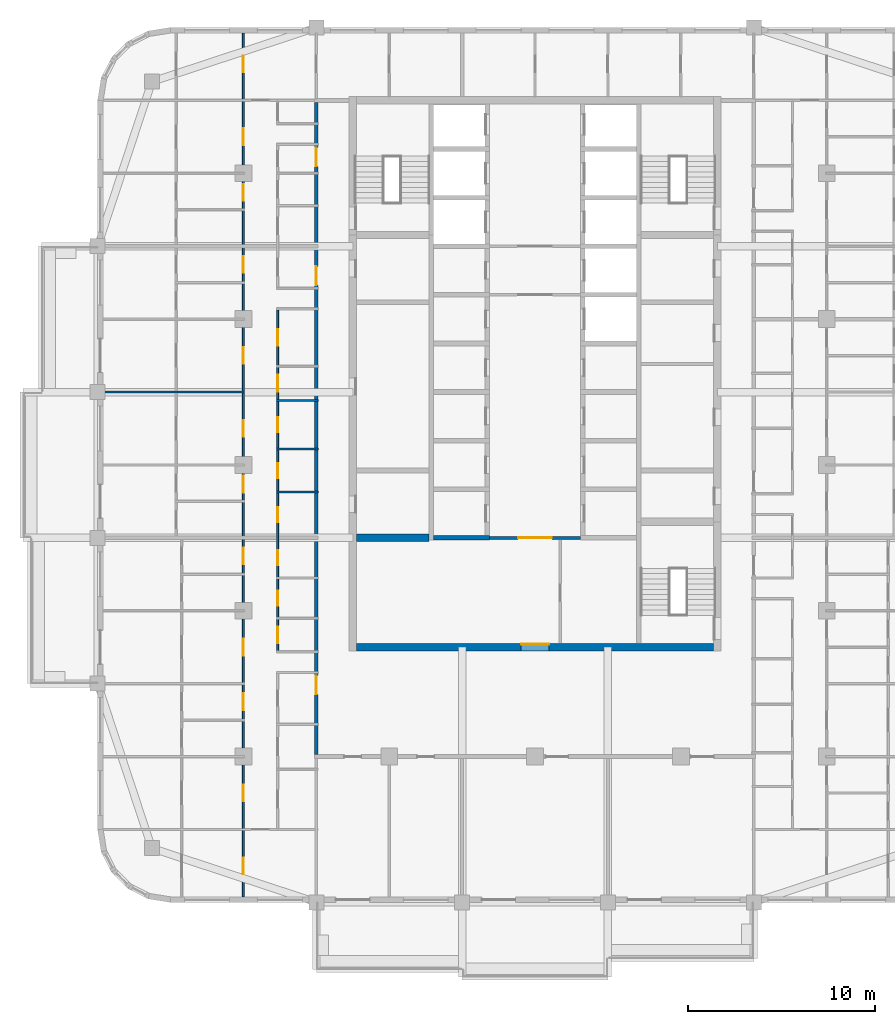
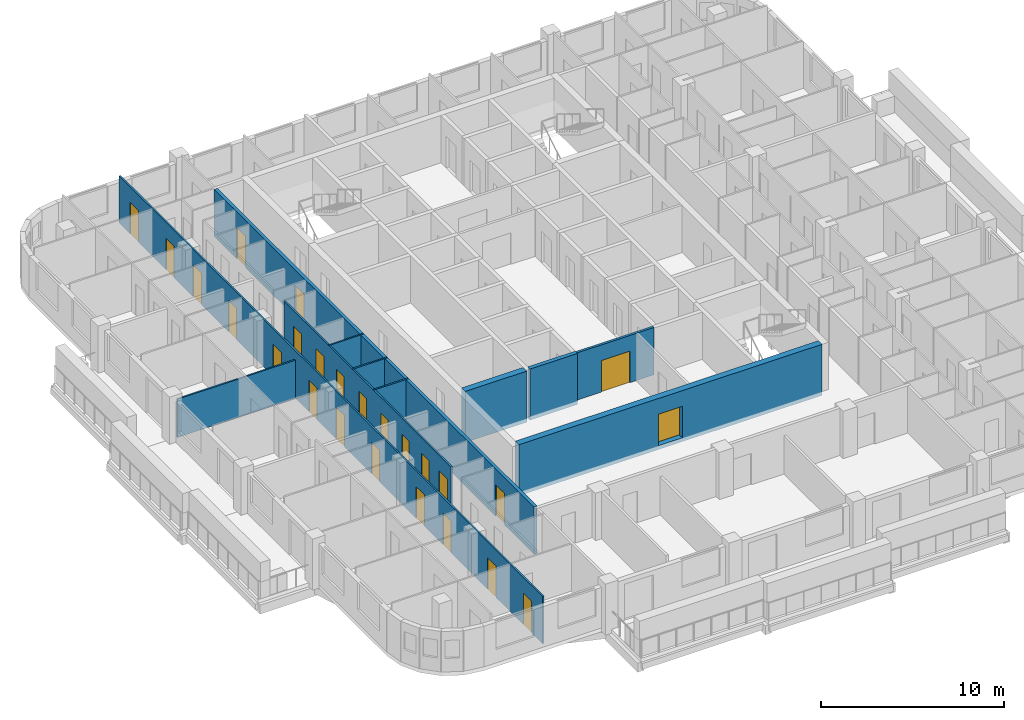
# One storey, part 4 of 16: 25 doors, 11 walls, 25 openings.
"""IFC4 building model written with IfcOpenShell, lengths in metres."""

from ifc_helpers import new_model, si_unit, direction, frame, frame_2d, origin, place, context, subcontext, project, spatial, rectangle, extrude, material, layer, layer_set, type_object, element, fill, save


model = new_model("IFC4")

# Units and contexts
model_context = context("Model", 3, precision=1e-05, world=origin(), true_north=direction((0.0, 1.0)))
body_context = subcontext(model_context, "Body", "Model", "MODEL_VIEW")
ifc_project = project(units=[si_unit("LENGTHUNIT", "METRE"), si_unit("AREAUNIT", "SQUARE_METRE"), si_unit("VOLUMEUNIT", "CUBIC_METRE"), si_unit("PLANEANGLEUNIT", "RADIAN"), si_unit("MASSUNIT", "GRAM", prefix="KILO")], contexts=[model_context])

# Site, building, storey
site_placement = place(None, origin())
site = spatial("IfcSite", under=ifc_project, at=site_placement, CompositionType="ELEMENT")
building_placement = place(site_placement, origin())
building = spatial("IfcBuilding", under=site, at=building_placement, Name="Ludao Terraces", CompositionType="ELEMENT")
storey_placement = place(building_placement, frame((0.0, 0.0, 207.5)))
storey = spatial("IfcBuildingStorey", under=building, at=storey_placement, Name="L56", CompositionType="ELEMENT", Elevation=207.5)

# Wall, opening, door
ifc_material_1 = material(Name="Concrete C50", Category="concrete")
ifc_layer_1 = layer(ifc_material_1, 0.39990234375)
ifc_layer_set_1 = layer_set([ifc_layer_1], Name="Core wall 400 C50")
wall_type_1 = type_object("IfcWallType", Name="Core wall 400 C50", PredefinedType="SOLIDWALL", material=ifc_layer_set_1)
wall_1_placement = place(storey_placement, frame((75.449951171875, 55.25, -0.25), z_axis=(0.0, 0.0, 1.0), x_axis=(1.0, 0.0, 0.0)))
wall_1 = element("IfcWall", 1, at=wall_1_placement, inside=storey, type_object=wall_type_1, Name="Core wall L56 outer-S", PredefinedType="SOLIDWALL", context=body_context, shape_type="SweptSolid", body=[
    extrude(rectangle(XDim=19.10009765625, YDim=0.39990234375, at=frame_2d((9.550048828125, 0.0))), origin(), (0.0, 0.0, 1.0), 3.39990234375),
])
opening_1_placement = place(wall_1_placement, frame((8.800048828125, 0.0, 0.25)))
opening_1 = element("IfcOpeningElement", 2, at=opening_1_placement, cuts=wall_1, Name="Opening R20-032", PredefinedType="OPENING", context=body_context, shape_type="SweptSolid", body=[
    extrude(rectangle(XDim=1.5, YDim=2.10009765625, at=frame_2d((0.75, 1.050048828125))), frame((0.0, 0.2099609375, 0.0), z_axis=(0.0, -1.0, 0.0), x_axis=(1.0, 0.0, 0.0)), (0.0, 0.0, 1.0), 0.419921875),
])
ifc_material_2 = material(Name="Steel Q235", Category="steel")
door_type_1 = type_object("IfcDoorType", Name="INT Lobby door 1500", OperationType="DOUBLE_DOOR_SINGLE_SWING", PredefinedType="DOOR", material=ifc_material_2)
door_1_placement = place(opening_1_placement, origin())
door_1 = element("IfcDoor", 3, at=door_1_placement, inside=storey, type_object=door_type_1, Name="DOOR 032", OperationType="DOUBLE_DOOR_SINGLE_SWING", OverallHeight=2.10009765625, OverallWidth=1.5, PredefinedType="DOOR", context=body_context, shape_type="SweptSolid", body=[
    extrude(rectangle(XDim=1.5, YDim=2.10009765625, at=frame_2d((0.75, 1.050048828125))), frame((0.0, 0.18505859375, 0.0), z_axis=(0.0, -1.0, 0.0), x_axis=(1.0, 0.0, 0.0)), (0.0, 0.0, 1.0), 0.050048828125),
])
fill(opening_1, door_1)

ifc_material_3 = material(Name="Fire-rated gypsum plasterboard", Category="gypsum")
ifc_layer_2 = layer(ifc_material_3, 0.012451171875, Category="gypsum")
ifc_material_4 = material(Name="Mineral wool")
ifc_layer_3 = layer(ifc_material_4, 0.10009765625, Name="insulation")
ifc_layer_4 = layer(ifc_material_2, 0.02490234375, Name="stud")
ifc_layer_5 = layer(ifc_material_3, 0.012451171875, Category="gypsum")
ifc_layer_set_2 = layer_set([ifc_layer_2, ifc_layer_3, ifc_layer_4, ifc_layer_5], Name="INT Core partition 150")
wall_type_2 = type_object("IfcWallType", Name="INT Core partition 150", PredefinedType="PARTITIONING", material=ifc_layer_set_2)
wall_2_placement = place(storey_placement, frame((82.5751953125, 61.10009765625, 0.0), z_axis=(0.0, 0.0, 1.0), x_axis=(1.0, 0.0, 0.0)))
wall_2 = element("IfcWall", 4, at=wall_2_placement, inside=storey, type_object=wall_type_2, Name="PW-L56-PW027", PredefinedType="PARTITIONING", context=body_context, shape_type="SweptSolid", body=[
    extrude(rectangle(XDim=4.849853515625, YDim=0.14990234375, at=frame_2d((2.4248046875, 0.0))), origin(), (0.0, 0.0, 1.0), 3.14990234375),
])
opening_2_placement = place(wall_2_placement, frame((1.52490234375, 0.0, 0.0)))
opening_2 = element("IfcOpeningElement", 5, at=opening_2_placement, cuts=wall_2, Name="Opening R20-049", PredefinedType="OPENING", context=body_context, shape_type="SweptSolid", body=[
    extrude(rectangle(XDim=1.800048828125, YDim=2.10009765625, at=frame_2d((0.89990234375, 1.050048828125))), frame((0.0, 0.0849609375, 0.0), z_axis=(0.0, -1.0, 0.0), x_axis=(1.0, 0.0, 0.0)), (0.0, 0.0, 1.0), 0.169921875),
])
door_type_2 = type_object("IfcDoorType", Name="INT Fire lobby door 1800", OperationType="DOUBLE_DOOR_SINGLE_SWING", PredefinedType="DOOR", material=ifc_material_2)
door_2_placement = place(opening_2_placement, origin())
door_2 = element("IfcDoor", 6, at=door_2_placement, inside=storey, type_object=door_type_2, Name="DOOR 049", OperationType="DOUBLE_DOOR_SINGLE_SWING", OverallHeight=2.10009765625, OverallWidth=1.800048828125, PredefinedType="DOOR", context=body_context, shape_type="SweptSolid", body=[
    extrude(rectangle(XDim=1.800048828125, YDim=2.10009765625, at=frame_2d((0.89990234375, 1.050048828125))), frame((0.0, 0.02490234375, 0.0), z_axis=(0.0, -1.0, 0.0), x_axis=(1.0, 0.0, 0.0)), (0.0, 0.0, 1.0), 0.050048828125),
])
fill(opening_2, door_2)

# Wall, openings, doors
ifc_material_5 = material(Name="Autoclaved aerated concrete block B06 A3.5", Category="concrete")
ifc_layer_6 = layer(ifc_material_5, 0.199951171875)
ifc_layer_set_3 = layer_set([ifc_layer_6], Name="INT Entrance wall 200")
wall_type_3 = type_object("IfcWallType", Name="INT Entrance wall 200", PredefinedType="PARTITIONING", material=ifc_layer_set_3)
wall_3_placement = place(storey_placement, frame((73.300048828125, 49.5, 0.0), z_axis=(0.0, 0.0, 1.0), x_axis=(0.0, 1.0, 0.0)))
wall_3 = element("IfcWall", 7, at=wall_3_placement, inside=storey, type_object=wall_type_3, Name="PW-L56-PW078", PredefinedType="PARTITIONING", context=body_context, shape_type="SweptSolid", body=[
    extrude(rectangle(XDim=34.900146484375, YDim=0.199951171875, at=frame_2d((17.4501953125, 0.0))), origin(), (0.0, 0.0, 1.0), 3.14990234375),
])
opening_3_placement = place(wall_3_placement, frame((3.22509765625, 0.0, 0.0)))
opening_3 = element("IfcOpeningElement", 8, at=opening_3_placement, cuts=wall_3, Name="Opening R20-027", PredefinedType="OPENING", context=body_context, shape_type="SweptSolid", body=[
    extrude(rectangle(XDim=1.0, YDim=2.10009765625, at=frame_2d((0.5, 1.050048828125))), frame((0.0, 0.10986328125, 0.0), z_axis=(0.0, -1.0, 0.0), x_axis=(1.0, 0.0, 0.0)), (0.0, 0.0, 1.0), 0.219970703125),
])
opening_4_placement = place(wall_3_placement, frame((25.125, 0.0, 0.0)))
opening_4 = element("IfcOpeningElement", 9, at=opening_4_placement, cuts=wall_3, Name="Opening R20-093", PredefinedType="OPENING", context=body_context, shape_type="SweptSolid", body=[
    extrude(rectangle(XDim=1.0, YDim=2.10009765625, at=frame_2d((0.5, 1.050048828125))), frame((0.0, 0.10986328125, 0.0), z_axis=(0.0, -1.0, 0.0), x_axis=(1.0, 0.0, 0.0)), (0.0, 0.0, 1.0), 0.219970703125),
])
opening_5_placement = place(wall_3_placement, frame((31.47509765625, 0.0, 0.0)))
opening_5 = element("IfcOpeningElement", 10, at=opening_5_placement, cuts=wall_3, Name="Opening R20-121", PredefinedType="OPENING", context=body_context, shape_type="SweptSolid", body=[
    extrude(rectangle(XDim=1.0, YDim=2.10009765625, at=frame_2d((0.5, 1.050048828125))), frame((0.0, 0.10986328125, 0.0), z_axis=(0.0, -1.0, 0.0), x_axis=(1.0, 0.0, 0.0)), (0.0, 0.0, 1.0), 0.219970703125),
])
door_type_3 = type_object("IfcDoorType", Name="INT Flat entrance door 1000", OperationType="SINGLE_SWING_LEFT", PredefinedType="DOOR", material=ifc_material_2)
door_3_placement = place(opening_3_placement, origin())
door_3 = element("IfcDoor", 11, at=door_3_placement, inside=storey, type_object=door_type_3, Name="DOOR 027", OperationType="SINGLE_SWING_LEFT", OverallHeight=2.10009765625, OverallWidth=1.0, PredefinedType="DOOR", context=body_context, shape_type="SweptSolid", body=[
    extrude(rectangle(XDim=1.0, YDim=2.10009765625, at=frame_2d((0.5, 1.050048828125))), frame((0.0, 0.02490234375, 0.0), z_axis=(0.0, -1.0, 0.0), x_axis=(1.0, 0.0, 0.0)), (0.0, 0.0, 1.0), 0.050048828125),
])
fill(opening_3, door_3)
door_4_placement = place(opening_4_placement, origin())
door_4 = element("IfcDoor", 12, at=door_4_placement, inside=storey, type_object=door_type_3, Name="DOOR 093", OperationType="SINGLE_SWING_RIGHT", OverallHeight=2.10009765625, OverallWidth=1.0, PredefinedType="DOOR", context=body_context, shape_type="SweptSolid", body=[
    extrude(rectangle(XDim=1.0, YDim=2.10009765625, at=frame_2d((0.5, 1.050048828125))), frame((0.0, 0.02490234375, 0.0), z_axis=(0.0, -1.0, 0.0), x_axis=(1.0, 0.0, 0.0)), (0.0, 0.0, 1.0), 0.050048828125),
])
fill(opening_4, door_4)
door_5_placement = place(opening_5_placement, origin())
door_5 = element("IfcDoor", 13, at=door_5_placement, inside=storey, type_object=door_type_3, Name="DOOR 121", OperationType="SINGLE_SWING_LEFT", OverallHeight=2.10009765625, OverallWidth=1.0, PredefinedType="DOOR", context=body_context, shape_type="SweptSolid", body=[
    extrude(rectangle(XDim=1.0, YDim=2.10009765625, at=frame_2d((0.5, 1.050048828125))), frame((0.0, 0.02490234375, 0.0), z_axis=(0.0, -1.0, 0.0), x_axis=(1.0, 0.0, 0.0)), (0.0, 0.0, 1.0), 0.050048828125),
])
fill(opening_5, door_5)

# Walls
ifc_material_6 = material(Name="Gypsum plasterboard", Category="gypsum")
ifc_layer_7 = layer(ifc_material_6, 0.012451171875, Category="gypsum")
ifc_layer_8 = layer(ifc_material_4, 0.06005859375, Name="insulation")
ifc_layer_9 = layer(ifc_material_2, 0.014892578125, Name="stud")
ifc_layer_10 = layer(ifc_material_6, 0.012451171875, Category="gypsum")
ifc_layer_set_4 = layer_set([ifc_layer_7, ifc_layer_8, ifc_layer_9, ifc_layer_10], Name="INT Partition 100")
wall_type_4 = type_object("IfcWallType", Name="INT Partition 100", PredefinedType="PARTITIONING", material=ifc_layer_set_4)
for number, where, z_axis, x_axis, name in (
    (14, (71.18017578125, 63.550048828125, 0.0), (0.0, 0.0, 1.0), (1.0, 0.0, 0.0), "PW-L56-PW032"),
    (15, (71.18017578125, 65.85009765625, 0.0), (0.0, 0.0, 1.0), (1.0, 0.0, 0.0), "PW-L56-PW035"),
    (16, (71.18017578125, 68.449951171875, 0.0), (0.0, 0.0, 1.0), (1.0, 0.0, 0.0), "PW-L56-PW037"),
):
    element("IfcWall", number, at=place(storey_placement, frame(where, z_axis=z_axis, x_axis=x_axis)), inside=storey, type_object=wall_type_4, Name=name, PredefinedType="PARTITIONING", context=body_context, shape_type="SweptSolid", body=[
        extrude(rectangle(XDim=2.219970703125, YDim=0.10009765625, at=frame_2d((1.10986328125, 0.0))), origin(), (0.0, 0.0, 1.0), 3.14990234375),
    ])
wall_4_placement = place(storey_placement, frame((61.900146484375, 68.89990234375, 0.0), z_axis=(0.0, 0.0, 1.0), x_axis=(1.0, 0.0, 0.0)))
element("IfcWall", 17, at=wall_4_placement, inside=storey, type_object=wall_type_4, Name="PW-L56-PW038", PredefinedType="PARTITIONING", context=body_context, shape_type="SweptSolid", body=[
    extrude(rectangle(XDim=7.550048828125, YDim=0.10009765625, at=frame_2d((3.77490234375, 0.0))), origin(), (0.0, 0.0, 1.0), 2.550048828125),
])

# Wall, openings, doors
wall_5_placement = place(storey_placement, frame((69.39990234375, 41.900146484375, 0.0), z_axis=(0.0, 0.0, 1.0), x_axis=(0.0, 1.0, 0.0)))
wall_5 = element("IfcWall", 18, at=wall_5_placement, inside=storey, type_object=wall_type_4, Name="PW-L56-PW072", PredefinedType="PARTITIONING", context=body_context, shape_type="SweptSolid", body=[
    extrude(rectangle(XDim=46.199951171875, YDim=0.10009765625, at=frame_2d((23.10009765625, 0.0))), origin(), (0.0, 0.0, 1.0), 3.14990234375),
])
opening_6_placement = place(wall_5_placement, frame((1.199951171875, 0.0, 0.0)))
opening_6 = element("IfcOpeningElement", 19, at=opening_6_placement, cuts=wall_5, Name="Opening R20-002", PredefinedType="OPENING", context=body_context, shape_type="SweptSolid", body=[
    extrude(rectangle(XDim=0.89990234375, YDim=2.10009765625, at=frame_2d((0.449951171875, 1.050048828125))), frame((0.0, 0.06005859375, 0.0), z_axis=(0.0, -1.0, 0.0), x_axis=(1.0, 0.0, 0.0)), (0.0, 0.0, 1.0), 0.1201171875),
])
opening_7_placement = place(wall_5_placement, frame((5.10009765625, 0.0, 0.0)))
opening_7 = element("IfcOpeningElement", 20, at=opening_7_placement, cuts=wall_5, Name="Opening R20-011", PredefinedType="OPENING", context=body_context, shape_type="SweptSolid", body=[
    extrude(rectangle(XDim=0.89990234375, YDim=2.10009765625, at=frame_2d((0.449951171875, 1.050048828125))), frame((0.0, 0.06005859375, 0.0), z_axis=(0.0, -1.0, 0.0), x_axis=(1.0, 0.0, 0.0)), (0.0, 0.0, 1.0), 0.1201171875),
])
opening_8_placement = place(wall_5_placement, frame((9.97509765625, 0.0, 0.0)))
opening_8 = element("IfcOpeningElement", 21, at=opening_8_placement, cuts=wall_5, Name="Opening R20-025", PredefinedType="OPENING", context=body_context, shape_type="SweptSolid", body=[
    extrude(rectangle(XDim=0.89990234375, YDim=2.10009765625, at=frame_2d((0.449951171875, 1.050048828125))), frame((0.0, 0.06005859375, 0.0), z_axis=(0.0, -1.0, 0.0), x_axis=(1.0, 0.0, 0.0)), (0.0, 0.0, 1.0), 0.1201171875),
])
opening_9_placement = place(wall_5_placement, frame((12.89990234375, 0.0, 0.0)))
opening_9 = element("IfcOpeningElement", 22, at=opening_9_placement, cuts=wall_5, Name="Opening R20-031", PredefinedType="OPENING", context=body_context, shape_type="SweptSolid", body=[
    extrude(rectangle(XDim=0.89990234375, YDim=2.10009765625, at=frame_2d((0.449951171875, 1.050048828125))), frame((0.0, 0.06005859375, 0.0), z_axis=(0.0, -1.0, 0.0), x_axis=(1.0, 0.0, 0.0)), (0.0, 0.0, 1.0), 0.1201171875),
])
opening_10_placement = place(wall_5_placement, frame((17.77490234375, 0.0, 0.0)))
opening_10 = element("IfcOpeningElement", 23, at=opening_10_placement, cuts=wall_5, Name="Opening R20-046", PredefinedType="OPENING", context=body_context, shape_type="SweptSolid", body=[
    extrude(rectangle(XDim=0.89990234375, YDim=2.10009765625, at=frame_2d((0.449951171875, 1.050048828125))), frame((0.0, 0.06005859375, 0.0), z_axis=(0.0, -1.0, 0.0), x_axis=(1.0, 0.0, 0.0)), (0.0, 0.0, 1.0), 0.1201171875),
])
opening_11_placement = place(wall_5_placement, frame((21.625, 0.0, 0.0)))
opening_11 = element("IfcOpeningElement", 24, at=opening_11_placement, cuts=wall_5, Name="Opening R20-059", PredefinedType="OPENING", context=body_context, shape_type="SweptSolid", body=[
    extrude(rectangle(XDim=0.89990234375, YDim=2.10009765625, at=frame_2d((0.449951171875, 1.050048828125))), frame((0.0, 0.06005859375, 0.0), z_axis=(0.0, -1.0, 0.0), x_axis=(1.0, 0.0, 0.0)), (0.0, 0.0, 1.0), 0.1201171875),
])
opening_12_placement = place(wall_5_placement, frame((24.60009765625, 0.0, 0.0)))
opening_12 = element("IfcOpeningElement", 25, at=opening_12_placement, cuts=wall_5, Name="Opening R20-067", PredefinedType="OPENING", context=body_context, shape_type="SweptSolid", body=[
    extrude(rectangle(XDim=0.89990234375, YDim=2.10009765625, at=frame_2d((0.449951171875, 1.050048828125))), frame((0.0, 0.06005859375, 0.0), z_axis=(0.0, -1.0, 0.0), x_axis=(1.0, 0.0, 0.0)), (0.0, 0.0, 1.0), 0.1201171875),
])
opening_13_placement = place(wall_5_placement, frame((28.5, 0.0, 0.0)))
opening_13 = element("IfcOpeningElement", 26, at=opening_13_placement, cuts=wall_5, Name="Opening R20-081", PredefinedType="OPENING", context=body_context, shape_type="SweptSolid", body=[
    extrude(rectangle(XDim=0.89990234375, YDim=2.10009765625, at=frame_2d((0.449951171875, 1.050048828125))), frame((0.0, 0.06005859375, 0.0), z_axis=(0.0, -1.0, 0.0), x_axis=(1.0, 0.0, 0.0)), (0.0, 0.0, 1.0), 0.1201171875),
])
opening_14_placement = place(wall_5_placement, frame((33.375, 0.0, 0.0)))
opening_14 = element("IfcOpeningElement", 27, at=opening_14_placement, cuts=wall_5, Name="Opening R20-100", PredefinedType="OPENING", context=body_context, shape_type="SweptSolid", body=[
    extrude(rectangle(XDim=0.89990234375, YDim=2.10009765625, at=frame_2d((0.449951171875, 1.050048828125))), frame((0.0, 0.06005859375, 0.0), z_axis=(0.0, -1.0, 0.0), x_axis=(1.0, 0.0, 0.0)), (0.0, 0.0, 1.0), 0.1201171875),
])
opening_15_placement = place(wall_5_placement, frame((37.22509765625, 0.0, 0.0)))
opening_15 = element("IfcOpeningElement", 28, at=opening_15_placement, cuts=wall_5, Name="Opening R20-114", PredefinedType="OPENING", context=body_context, shape_type="SweptSolid", body=[
    extrude(rectangle(XDim=0.89990234375, YDim=2.10009765625, at=frame_2d((0.449951171875, 1.050048828125))), frame((0.0, 0.06005859375, 0.0), z_axis=(0.0, -1.0, 0.0), x_axis=(1.0, 0.0, 0.0)), (0.0, 0.0, 1.0), 0.1201171875),
])
opening_16_placement = place(wall_5_placement, frame((40.199951171875, 0.0, 0.0)))
opening_16 = element("IfcOpeningElement", 29, at=opening_16_placement, cuts=wall_5, Name="Opening R20-124", PredefinedType="OPENING", context=body_context, shape_type="SweptSolid", body=[
    extrude(rectangle(XDim=0.89990234375, YDim=2.10009765625, at=frame_2d((0.449951171875, 1.050048828125))), frame((0.0, 0.06005859375, 0.0), z_axis=(0.0, -1.0, 0.0), x_axis=(1.0, 0.0, 0.0)), (0.0, 0.0, 1.0), 0.1201171875),
])
opening_17_placement = place(wall_5_placement, frame((44.10009765625, 0.0, 0.0)))
opening_17 = element("IfcOpeningElement", 30, at=opening_17_placement, cuts=wall_5, Name="Opening R20-134", PredefinedType="OPENING", context=body_context, shape_type="SweptSolid", body=[
    extrude(rectangle(XDim=0.89990234375, YDim=2.10009765625, at=frame_2d((0.449951171875, 1.050048828125))), frame((0.0, 0.06005859375, 0.0), z_axis=(0.0, -1.0, 0.0), x_axis=(1.0, 0.0, 0.0)), (0.0, 0.0, 1.0), 0.1201171875),
])
ifc_material_7 = material(Name="Timber door leaf", Category="wood")
door_type_4 = type_object("IfcDoorType", Name="INT Room door 900", OperationType="SINGLE_SWING_LEFT", PredefinedType="DOOR", material=ifc_material_7)
door_6_placement = place(opening_6_placement, origin())
door_6 = element("IfcDoor", 31, at=door_6_placement, inside=storey, type_object=door_type_4, Name="DOOR 002", OperationType="SINGLE_SWING_LEFT", OverallHeight=2.10009765625, OverallWidth=0.89990234375, PredefinedType="DOOR", context=body_context, shape_type="SweptSolid", body=[
    extrude(rectangle(XDim=0.89990234375, YDim=2.10009765625, at=frame_2d((0.449951171875, 1.050048828125))), frame((0.0, 0.02490234375, 0.0), z_axis=(0.0, -1.0, 0.0), x_axis=(1.0, 0.0, 0.0)), (0.0, 0.0, 1.0), 0.050048828125),
])
fill(opening_6, door_6)
door_7_placement = place(opening_7_placement, origin())
door_7 = element("IfcDoor", 32, at=door_7_placement, inside=storey, type_object=door_type_4, Name="DOOR 011", OperationType="SINGLE_SWING_RIGHT", OverallHeight=2.10009765625, OverallWidth=0.89990234375, PredefinedType="DOOR", context=body_context, shape_type="SweptSolid", body=[
    extrude(rectangle(XDim=0.89990234375, YDim=2.10009765625, at=frame_2d((0.449951171875, 1.050048828125))), frame((0.0, 0.02490234375, 0.0), z_axis=(0.0, -1.0, 0.0), x_axis=(1.0, 0.0, 0.0)), (0.0, 0.0, 1.0), 0.050048828125),
])
fill(opening_7, door_7)
door_8_placement = place(opening_8_placement, origin())
door_8 = element("IfcDoor", 33, at=door_8_placement, inside=storey, type_object=door_type_4, Name="DOOR 025", OperationType="SINGLE_SWING_RIGHT", OverallHeight=2.10009765625, OverallWidth=0.89990234375, PredefinedType="DOOR", context=body_context, shape_type="SweptSolid", body=[
    extrude(rectangle(XDim=0.89990234375, YDim=2.10009765625, at=frame_2d((0.449951171875, 1.050048828125))), frame((0.0, 0.02490234375, 0.0), z_axis=(0.0, -1.0, 0.0), x_axis=(1.0, 0.0, 0.0)), (0.0, 0.0, 1.0), 0.050048828125),
])
fill(opening_8, door_8)
door_9_placement = place(opening_9_placement, origin())
door_9 = element("IfcDoor", 34, at=door_9_placement, inside=storey, type_object=door_type_4, Name="DOOR 031", OperationType="SINGLE_SWING_LEFT", OverallHeight=2.10009765625, OverallWidth=0.89990234375, PredefinedType="DOOR", context=body_context, shape_type="SweptSolid", body=[
    extrude(rectangle(XDim=0.89990234375, YDim=2.10009765625, at=frame_2d((0.449951171875, 1.050048828125))), frame((0.0, 0.02490234375, 0.0), z_axis=(0.0, -1.0, 0.0), x_axis=(1.0, 0.0, 0.0)), (0.0, 0.0, 1.0), 0.050048828125),
])
fill(opening_9, door_9)
door_10_placement = place(opening_10_placement, origin())
door_10 = element("IfcDoor", 35, at=door_10_placement, inside=storey, type_object=door_type_4, Name="DOOR 046", OperationType="SINGLE_SWING_LEFT", OverallHeight=2.10009765625, OverallWidth=0.89990234375, PredefinedType="DOOR", context=body_context, shape_type="SweptSolid", body=[
    extrude(rectangle(XDim=0.89990234375, YDim=2.10009765625, at=frame_2d((0.449951171875, 1.050048828125))), frame((0.0, 0.02490234375, 0.0), z_axis=(0.0, -1.0, 0.0), x_axis=(1.0, 0.0, 0.0)), (0.0, 0.0, 1.0), 0.050048828125),
])
fill(opening_10, door_10)
door_11_placement = place(opening_11_placement, origin())
door_11 = element("IfcDoor", 36, at=door_11_placement, inside=storey, type_object=door_type_4, Name="DOOR 059", OperationType="SINGLE_SWING_LEFT", OverallHeight=2.10009765625, OverallWidth=0.89990234375, PredefinedType="DOOR", context=body_context, shape_type="SweptSolid", body=[
    extrude(rectangle(XDim=0.89990234375, YDim=2.10009765625, at=frame_2d((0.449951171875, 1.050048828125))), frame((0.0, 0.02490234375, 0.0), z_axis=(0.0, -1.0, 0.0), x_axis=(1.0, 0.0, 0.0)), (0.0, 0.0, 1.0), 0.050048828125),
])
fill(opening_11, door_11)
door_12_placement = place(opening_12_placement, origin())
door_12 = element("IfcDoor", 37, at=door_12_placement, inside=storey, type_object=door_type_4, Name="DOOR 067", OperationType="SINGLE_SWING_LEFT", OverallHeight=2.10009765625, OverallWidth=0.89990234375, PredefinedType="DOOR", context=body_context, shape_type="SweptSolid", body=[
    extrude(rectangle(XDim=0.89990234375, YDim=2.10009765625, at=frame_2d((0.449951171875, 1.050048828125))), frame((0.0, 0.02490234375, 0.0), z_axis=(0.0, -1.0, 0.0), x_axis=(1.0, 0.0, 0.0)), (0.0, 0.0, 1.0), 0.050048828125),
])
fill(opening_12, door_12)
door_13_placement = place(opening_13_placement, origin())
door_13 = element("IfcDoor", 38, at=door_13_placement, inside=storey, type_object=door_type_4, Name="DOOR 081", OperationType="SINGLE_SWING_RIGHT", OverallHeight=2.10009765625, OverallWidth=0.89990234375, PredefinedType="DOOR", context=body_context, shape_type="SweptSolid", body=[
    extrude(rectangle(XDim=0.89990234375, YDim=2.10009765625, at=frame_2d((0.449951171875, 1.050048828125))), frame((0.0, 0.02490234375, 0.0), z_axis=(0.0, -1.0, 0.0), x_axis=(1.0, 0.0, 0.0)), (0.0, 0.0, 1.0), 0.050048828125),
])
fill(opening_13, door_13)
door_14_placement = place(opening_14_placement, origin())
door_14 = element("IfcDoor", 39, at=door_14_placement, inside=storey, type_object=door_type_4, Name="DOOR 100", OperationType="SINGLE_SWING_RIGHT", OverallHeight=2.10009765625, OverallWidth=0.89990234375, PredefinedType="DOOR", context=body_context, shape_type="SweptSolid", body=[
    extrude(rectangle(XDim=0.89990234375, YDim=2.10009765625, at=frame_2d((0.449951171875, 1.050048828125))), frame((0.0, 0.02490234375, 0.0), z_axis=(0.0, -1.0, 0.0), x_axis=(1.0, 0.0, 0.0)), (0.0, 0.0, 1.0), 0.050048828125),
])
fill(opening_14, door_14)
door_15_placement = place(opening_15_placement, origin())
door_15 = element("IfcDoor", 40, at=door_15_placement, inside=storey, type_object=door_type_4, Name="DOOR 114", OperationType="SINGLE_SWING_LEFT", OverallHeight=2.10009765625, OverallWidth=0.89990234375, PredefinedType="DOOR", context=body_context, shape_type="SweptSolid", body=[
    extrude(rectangle(XDim=0.89990234375, YDim=2.10009765625, at=frame_2d((0.449951171875, 1.050048828125))), frame((0.0, 0.02490234375, 0.0), z_axis=(0.0, -1.0, 0.0), x_axis=(1.0, 0.0, 0.0)), (0.0, 0.0, 1.0), 0.050048828125),
])
fill(opening_15, door_15)
door_16_placement = place(opening_16_placement, origin())
door_16 = element("IfcDoor", 41, at=door_16_placement, inside=storey, type_object=door_type_4, Name="DOOR 124", OperationType="SINGLE_SWING_RIGHT", OverallHeight=2.10009765625, OverallWidth=0.89990234375, PredefinedType="DOOR", context=body_context, shape_type="SweptSolid", body=[
    extrude(rectangle(XDim=0.89990234375, YDim=2.10009765625, at=frame_2d((0.449951171875, 1.050048828125))), frame((0.0, 0.02490234375, 0.0), z_axis=(0.0, -1.0, 0.0), x_axis=(1.0, 0.0, 0.0)), (0.0, 0.0, 1.0), 0.050048828125),
])
fill(opening_16, door_16)
door_17_placement = place(opening_17_placement, origin())
door_17 = element("IfcDoor", 42, at=door_17_placement, inside=storey, type_object=door_type_4, Name="DOOR 134", OperationType="SINGLE_SWING_RIGHT", OverallHeight=2.10009765625, OverallWidth=0.89990234375, PredefinedType="DOOR", context=body_context, shape_type="SweptSolid", body=[
    extrude(rectangle(XDim=0.89990234375, YDim=2.10009765625, at=frame_2d((0.449951171875, 1.050048828125))), frame((0.0, 0.02490234375, 0.0), z_axis=(0.0, -1.0, 0.0), x_axis=(1.0, 0.0, 0.0)), (0.0, 0.0, 1.0), 0.050048828125),
])
fill(opening_17, door_17)

wall_6_placement = place(storey_placement, frame((71.22998046875, 55.050048828125, 0.0), z_axis=(0.0, 0.0, 1.0), x_axis=(0.0, 1.0, 0.0)))
wall_6 = element("IfcWall", 43, at=wall_6_placement, inside=storey, type_object=wall_type_4, Name="PW-L56-PW074", PredefinedType="PARTITIONING", context=body_context, shape_type="SweptSolid", body=[
    extrude(rectangle(XDim=18.25, YDim=0.10009765625, at=frame_2d((9.125, 0.0))), origin(), (0.0, 0.0, 1.0), 3.14990234375),
])
opening_18_placement = place(wall_6_placement, frame((0.39990234375, 0.0, 0.0)))
opening_18 = element("IfcOpeningElement", 44, at=opening_18_placement, cuts=wall_6, Name="Opening R20-033", PredefinedType="OPENING", context=body_context, shape_type="SweptSolid", body=[
    extrude(rectangle(XDim=0.89990234375, YDim=2.10009765625, at=frame_2d((0.449951171875, 1.050048828125))), frame((0.0, 0.06005859375, 0.0), z_axis=(0.0, -1.0, 0.0), x_axis=(1.0, 0.0, 0.0)), (0.0, 0.0, 1.0), 0.1201171875),
])
opening_19_placement = place(wall_6_placement, frame((2.425048828125, 0.0, 0.0)))
opening_19 = element("IfcOpeningElement", 45, at=opening_19_placement, cuts=wall_6, Name="Opening R20-038", PredefinedType="OPENING", context=body_context, shape_type="SweptSolid", body=[
    extrude(rectangle(XDim=0.800048828125, YDim=2.10009765625, at=frame_2d((0.39990234375, 1.050048828125))), frame((0.0, 0.06005859375, 0.0), z_axis=(0.0, -1.0, 0.0), x_axis=(1.0, 0.0, 0.0)), (0.0, 0.0, 1.0), 0.1201171875),
])
opening_20_placement = place(wall_6_placement, frame((4.574951171875, 0.0, 0.0)))
opening_20 = element("IfcOpeningElement", 46, at=opening_20_placement, cuts=wall_6, Name="Opening R20-043", PredefinedType="OPENING", context=body_context, shape_type="SweptSolid", body=[
    extrude(rectangle(XDim=0.800048828125, YDim=2.10009765625, at=frame_2d((0.39990234375, 1.050048828125))), frame((0.0, 0.06005859375, 0.0), z_axis=(0.0, -1.0, 0.0), x_axis=(1.0, 0.0, 0.0)), (0.0, 0.0, 1.0), 0.1201171875),
])
opening_21_placement = place(wall_6_placement, frame((6.875, 0.0, 0.0)))
opening_21 = element("IfcOpeningElement", 47, at=opening_21_placement, cuts=wall_6, Name="Opening R20-052", PredefinedType="OPENING", context=body_context, shape_type="SweptSolid", body=[
    extrude(rectangle(XDim=0.800048828125, YDim=2.10009765625, at=frame_2d((0.39990234375, 1.050048828125))), frame((0.0, 0.06005859375, 0.0), z_axis=(0.0, -1.0, 0.0), x_axis=(1.0, 0.0, 0.0)), (0.0, 0.0, 1.0), 0.1201171875),
])
opening_22_placement = place(wall_6_placement, frame((9.25, 0.0, 0.0)))
opening_22 = element("IfcOpeningElement", 48, at=opening_22_placement, cuts=wall_6, Name="Opening R20-062", PredefinedType="OPENING", context=body_context, shape_type="SweptSolid", body=[
    extrude(rectangle(XDim=0.800048828125, YDim=2.10009765625, at=frame_2d((0.39990234375, 1.050048828125))), frame((0.0, 0.06005859375, 0.0), z_axis=(0.0, -1.0, 0.0), x_axis=(1.0, 0.0, 0.0)), (0.0, 0.0, 1.0), 0.1201171875),
])
opening_23_placement = place(wall_6_placement, frame((11.699951171875, 0.0, 0.0)))
opening_23 = element("IfcOpeningElement", 49, at=opening_23_placement, cuts=wall_6, Name="Opening R20-070", PredefinedType="OPENING", context=body_context, shape_type="SweptSolid", body=[
    extrude(rectangle(XDim=0.800048828125, YDim=2.10009765625, at=frame_2d((0.39990234375, 1.050048828125))), frame((0.0, 0.06005859375, 0.0), z_axis=(0.0, -1.0, 0.0), x_axis=(1.0, 0.0, 0.0)), (0.0, 0.0, 1.0), 0.1201171875),
])
opening_24_placement = place(wall_6_placement, frame((13.864990234375, 0.0, 0.0)))
opening_24 = element("IfcOpeningElement", 50, at=opening_24_placement, cuts=wall_6, Name="Opening R20-076", PredefinedType="OPENING", context=body_context, shape_type="SweptSolid", body=[
    extrude(rectangle(XDim=0.89990234375, YDim=2.10009765625, at=frame_2d((0.449951171875, 1.050048828125))), frame((0.0, 0.06005859375, 0.0), z_axis=(0.0, -1.0, 0.0), x_axis=(1.0, 0.0, 0.0)), (0.0, 0.0, 1.0), 0.1201171875),
])
opening_25_placement = place(wall_6_placement, frame((16.31494140625, 0.0, 0.0)))
opening_25 = element("IfcOpeningElement", 51, at=opening_25_placement, cuts=wall_6, Name="Opening R20-084", PredefinedType="OPENING", context=body_context, shape_type="SweptSolid", body=[
    extrude(rectangle(XDim=0.89990234375, YDim=2.10009765625, at=frame_2d((0.449951171875, 1.050048828125))), frame((0.0, 0.06005859375, 0.0), z_axis=(0.0, -1.0, 0.0), x_axis=(1.0, 0.0, 0.0)), (0.0, 0.0, 1.0), 0.1201171875),
])
door_type_5 = type_object("IfcDoorType", Name="INT Bathroom door 900", OperationType="SINGLE_SWING_LEFT", PredefinedType="DOOR", material=ifc_material_7)
door_18_placement = place(opening_18_placement, origin())
door_18 = element("IfcDoor", 52, at=door_18_placement, inside=storey, type_object=door_type_5, Name="DOOR 033", OperationType="SINGLE_SWING_RIGHT", OverallHeight=2.10009765625, OverallWidth=0.89990234375, PredefinedType="DOOR", context=body_context, shape_type="SweptSolid", body=[
    extrude(rectangle(XDim=0.89990234375, YDim=2.10009765625, at=frame_2d((0.449951171875, 1.050048828125))), frame((0.0, 0.02490234375, 0.0), z_axis=(0.0, -1.0, 0.0), x_axis=(1.0, 0.0, 0.0)), (0.0, 0.0, 1.0), 0.050048828125),
])
fill(opening_18, door_18)
door_19_placement = place(opening_24_placement, origin())
door_19 = element("IfcDoor", 53, at=door_19_placement, inside=storey, type_object=door_type_5, Name="DOOR 076", OperationType="SINGLE_SWING_RIGHT", OverallHeight=2.10009765625, OverallWidth=0.89990234375, PredefinedType="DOOR", context=body_context, shape_type="SweptSolid", body=[
    extrude(rectangle(XDim=0.89990234375, YDim=2.10009765625, at=frame_2d((0.449951171875, 1.050048828125))), frame((0.0, 0.02490234375, 0.0), z_axis=(0.0, -1.0, 0.0), x_axis=(1.0, 0.0, 0.0)), (0.0, 0.0, 1.0), 0.050048828125),
])
fill(opening_24, door_19)
door_20_placement = place(opening_25_placement, origin())
door_20 = element("IfcDoor", 54, at=door_20_placement, inside=storey, type_object=door_type_4, Name="DOOR 084", OperationType="SINGLE_SWING_LEFT", OverallHeight=2.10009765625, OverallWidth=0.89990234375, PredefinedType="DOOR", context=body_context, shape_type="SweptSolid", body=[
    extrude(rectangle(XDim=0.89990234375, YDim=2.10009765625, at=frame_2d((0.449951171875, 1.050048828125))), frame((0.0, 0.02490234375, 0.0), z_axis=(0.0, -1.0, 0.0), x_axis=(1.0, 0.0, 0.0)), (0.0, 0.0, 1.0), 0.050048828125),
])
fill(opening_25, door_20)
door_type_6 = type_object("IfcDoorType", Name="INT Store door 800", OperationType="SINGLE_SWING_LEFT", PredefinedType="DOOR", material=ifc_material_7)
door_21_placement = place(opening_19_placement, origin())
door_21 = element("IfcDoor", 55, at=door_21_placement, inside=storey, type_object=door_type_6, Name="DOOR 038", OperationType="SINGLE_SWING_RIGHT", OverallHeight=2.10009765625, OverallWidth=0.800048828125, PredefinedType="DOOR", context=body_context, shape_type="SweptSolid", body=[
    extrude(rectangle(XDim=0.800048828125, YDim=2.10009765625, at=frame_2d((0.39990234375, 1.050048828125))), frame((0.0, 0.02490234375, 0.0), z_axis=(0.0, -1.0, 0.0), x_axis=(1.0, 0.0, 0.0)), (0.0, 0.0, 1.0), 0.050048828125),
])
fill(opening_19, door_21)
door_22_placement = place(opening_20_placement, origin())
door_22 = element("IfcDoor", 56, at=door_22_placement, inside=storey, type_object=door_type_6, Name="DOOR 043", OperationType="SINGLE_SWING_LEFT", OverallHeight=2.10009765625, OverallWidth=0.800048828125, PredefinedType="DOOR", context=body_context, shape_type="SweptSolid", body=[
    extrude(rectangle(XDim=0.800048828125, YDim=2.10009765625, at=frame_2d((0.39990234375, 1.050048828125))), frame((0.0, 0.02490234375, 0.0), z_axis=(0.0, -1.0, 0.0), x_axis=(1.0, 0.0, 0.0)), (0.0, 0.0, 1.0), 0.050048828125),
])
fill(opening_20, door_22)
door_23_placement = place(opening_21_placement, origin())
door_23 = element("IfcDoor", 57, at=door_23_placement, inside=storey, type_object=door_type_6, Name="DOOR 052", OperationType="SINGLE_SWING_RIGHT", OverallHeight=2.10009765625, OverallWidth=0.800048828125, PredefinedType="DOOR", context=body_context, shape_type="SweptSolid", body=[
    extrude(rectangle(XDim=0.800048828125, YDim=2.10009765625, at=frame_2d((0.39990234375, 1.050048828125))), frame((0.0, 0.02490234375, 0.0), z_axis=(0.0, -1.0, 0.0), x_axis=(1.0, 0.0, 0.0)), (0.0, 0.0, 1.0), 0.050048828125),
])
fill(opening_21, door_23)
door_24_placement = place(opening_22_placement, origin())
door_24 = element("IfcDoor", 58, at=door_24_placement, inside=storey, type_object=door_type_6, Name="DOOR 062", OperationType="SINGLE_SWING_LEFT", OverallHeight=2.10009765625, OverallWidth=0.800048828125, PredefinedType="DOOR", context=body_context, shape_type="SweptSolid", body=[
    extrude(rectangle(XDim=0.800048828125, YDim=2.10009765625, at=frame_2d((0.39990234375, 1.050048828125))), frame((0.0, 0.02490234375, 0.0), z_axis=(0.0, -1.0, 0.0), x_axis=(1.0, 0.0, 0.0)), (0.0, 0.0, 1.0), 0.050048828125),
])
fill(opening_22, door_24)
door_25_placement = place(opening_23_placement, origin())
door_25 = element("IfcDoor", 59, at=door_25_placement, inside=storey, type_object=door_type_6, Name="DOOR 070", OperationType="SINGLE_SWING_RIGHT", OverallHeight=2.10009765625, OverallWidth=0.800048828125, PredefinedType="DOOR", context=body_context, shape_type="SweptSolid", body=[
    extrude(rectangle(XDim=0.800048828125, YDim=2.10009765625, at=frame_2d((0.39990234375, 1.050048828125))), frame((0.0, 0.02490234375, 0.0), z_axis=(0.0, -1.0, 0.0), x_axis=(1.0, 0.0, 0.0)), (0.0, 0.0, 1.0), 0.050048828125),
])
fill(opening_23, door_25)

# Walls
ifc_layer_11 = layer(ifc_material_1, 0.25)
ifc_layer_set_5 = layer_set([ifc_layer_11], Name="Shaft wall 250 C50")
wall_type_5 = type_object("IfcWallType", Name="Shaft wall 250 C50", PredefinedType="SOLIDWALL", material=ifc_layer_set_5)
wall_7_placement = place(storey_placement, frame((79.574951171875, 61.10009765625, -0.25), z_axis=(0.0, 0.0, 1.0), x_axis=(1.0, 0.0, 0.0)))
element("IfcWall", 60, at=wall_7_placement, inside=storey, type_object=wall_type_5, Name="Core wall L56 div-W1", PredefinedType="SOLIDWALL", context=body_context, shape_type="SweptSolid", body=[
    extrude(rectangle(XDim=3.0, YDim=0.25, at=frame_2d((1.5, 0.0))), origin(), (0.0, 0.0, 1.0), 3.39990234375),
])
ifc_layer_12 = layer(ifc_material_1, 0.39990234375)
ifc_layer_set_6 = layer_set([ifc_layer_12], Name="Shaft wall 400 C50")
wall_type_6 = type_object("IfcWallType", Name="Shaft wall 400 C50", PredefinedType="SOLIDWALL", material=ifc_layer_set_6)
wall_8_placement = place(storey_placement, frame((75.449951171875, 61.10009765625, -0.25), z_axis=(0.0, 0.0, 1.0), x_axis=(1.0, 0.0, 0.0)))
element("IfcWall", 61, at=wall_8_placement, inside=storey, type_object=wall_type_6, Name="Core wall L56 hall-W", PredefinedType="SOLIDWALL", context=body_context, shape_type="SweptSolid", body=[
    extrude(rectangle(XDim=3.875, YDim=0.39990234375, at=frame_2d((1.9375, 0.0))), origin(), (0.0, 0.0, 1.0), 3.39990234375),
])

save(model, "model.ifc")
